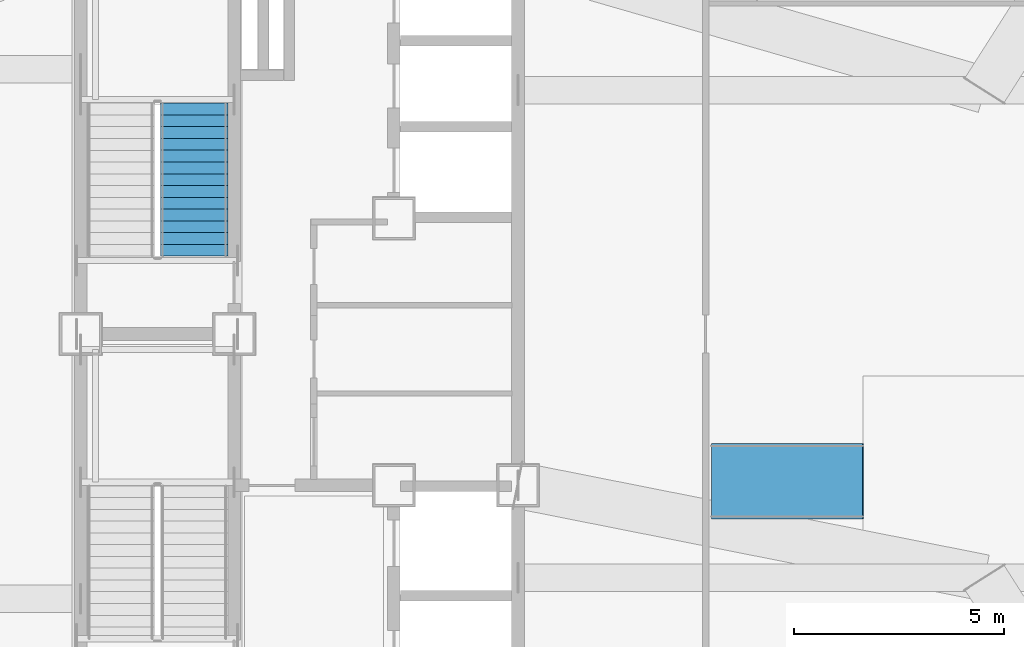
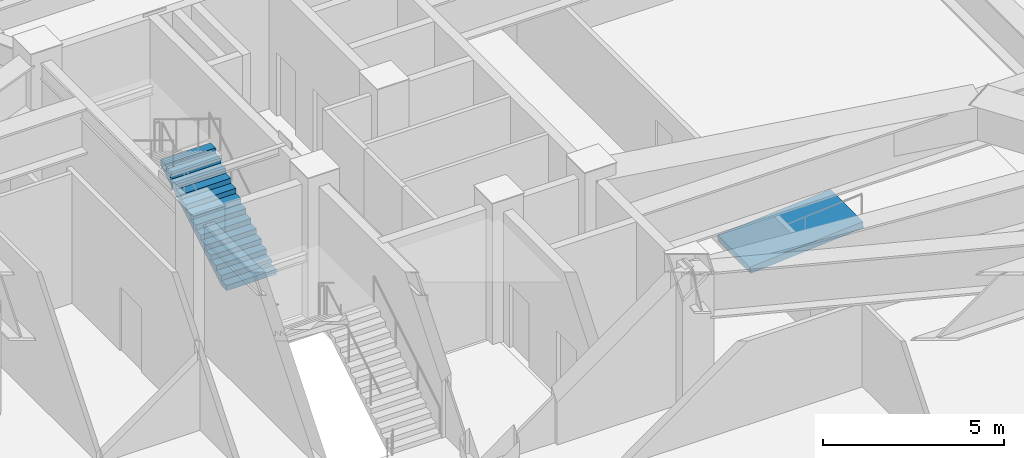
# One storey, part 9 of 11: 1 ramp flight, 1 stair flight, 2 elements without a shape of their own.
"""IFC4 building model written with IfcOpenShell, lengths in metres."""

from ifc_helpers import new_model, si_unit, direction, frame, origin, place, context, subcontext, project, spatial, polyline, outline, extrude, material, layer, layer_set, type_object, element, aggregate, save


model = new_model("IFC4")

# Units and contexts
model_context = context("Model", 3, precision=1e-05, world=origin(), true_north=direction((0.0, 1.0)))
body_context = subcontext(model_context, "Body", "Model", "MODEL_VIEW")
ifc_project = project(units=[si_unit("LENGTHUNIT", "METRE"), si_unit("AREAUNIT", "SQUARE_METRE"), si_unit("VOLUMEUNIT", "CUBIC_METRE"), si_unit("PLANEANGLEUNIT", "RADIAN"), si_unit("MASSUNIT", "GRAM", prefix="KILO")], contexts=[model_context])

# Site, building, storey
site_placement = place(None, origin())
site = spatial("IfcSite", under=ifc_project, at=site_placement, CompositionType="ELEMENT")
building_placement = place(site_placement, origin())
building = spatial("IfcBuilding", under=site, at=building_placement, Name="Khamvora Tower", CompositionType="ELEMENT")
storey_placement = place(building_placement, frame((0.0, 0.0, 264.64990234375)))
storey = spatial("IfcBuildingStorey", under=building, at=storey_placement, Name="L68", CompositionType="ELEMENT", Elevation=264.64990234375)

# Stair, stair flight
ifc_material = material(Name="Concrete C40/50", Category="concrete")
stair_type = type_object("IfcStairType", Name="STR-ST-02", PredefinedType="HALF_TURN_STAIR", material=ifc_material)
stair_placement = place(storey_placement, origin())
stair = element("IfcStair", 1, at=stair_placement, inside=storey, type_object=stair_type, Name="L68 North Tower Exit Stair ST-02", PredefinedType="HALF_TURN_STAIR")
stair_flight_type = type_object("IfcStairFlightType", Name="STF-ST-02", PredefinedType="STRAIGHT", material=ifc_material)
stair_flight_placement = place(storey_placement, frame((31.699951171875, 29.85009765625, 0.0), z_axis=(0.0, 0.0, 1.0), x_axis=(0.0, 1.0, 0.0)))
stair_flight = element("IfcStairFlight", 2, at=stair_flight_placement, type_object=stair_flight_type, Name="ST-02 flight 1", NumberOfRisers=14, NumberOfTreads=13, PredefinedType="STRAIGHT", RiserHeight=0.171428571, TreadLength=0.28, context=body_context, shape_type="SweptSolid", body=[
    extrude(outline(polyline([(0.0, 0.0), (0.0, 0.17138671875), (0.280029296875, 0.17138671875), (0.280029296875, 0.3427734375), (0.56005859375, 0.3427734375), (0.56005859375, 0.514404296875), (0.840087890625, 0.514404296875), (0.840087890625, 0.685791015625), (1.1201171875, 0.685791015625), (1.1201171875, 0.857177734375), (1.39990234375, 0.857177734375), (1.39990234375, 1.028564453125), (1.679931640625, 1.028564453125), (1.679931640625, 1.199951171875), (1.9599609375, 1.199951171875), (1.9599609375, 1.371337890625), (2.239990234375, 1.371337890625), (2.239990234375, 1.54296875), (2.52001953125, 1.54296875), (2.52001953125, 1.71435546875), (2.800048828125, 1.71435546875), (2.800048828125, 1.8857421875), (3.080078125, 1.8857421875), (3.080078125, 2.05712890625), (3.360107421875, 2.05712890625), (3.360107421875, 2.228515625), (3.639892578125, 2.228515625), (3.639892578125, 2.39990234375), (3.639892578125, 2.052734375), (0.287109375, 0.0), (0.0, 0.0)])), frame((0.0, 0.800048828125, 0.0), z_axis=(0.0, -1.0, 0.0), x_axis=(1.0, 0.0, 0.0)), (0.0, 0.0, 1.0), 1.60009765625),
])
aggregate(stair, [stair_flight])

# Ramp, ramp flight
ramp_type = type_object("IfcRampType", Name="RMP-ACC-1800", PredefinedType="STRAIGHT_RUN_RAMP", material=ifc_material)
ramp_placement = place(storey_placement, origin())
ramp = element("IfcRamp", 3, at=ramp_placement, inside=storey, type_object=ramp_type, Name="L68 Sky-Pool Accessible Deck Ramp RMP-05", PredefinedType="STRAIGHT_RUN_RAMP")
ifc_layer = layer(ifc_material, 0.219970703125)
ifc_layer_set = layer_set([ifc_layer], Name="Concrete C40/50")
ramp_flight_type = type_object("IfcRampFlightType", Name="RMF-ACC-1800", PredefinedType="STRAIGHT", material=ifc_layer_set)
ramp_flight_placement = place(storey_placement, frame((44.0, 23.60009765625, 0.0), z_axis=(-0.077549559716, 0.0, 0.996988498323), x_axis=(0.996988498323, 0.0, 0.077549559716)))
ramp_flight = element("IfcRampFlight", 4, at=ramp_flight_placement, type_object=ramp_flight_type, Name="L68 Sky-Pool Accessible Deck Ramp RMP-05 flight", PredefinedType="STRAIGHT", context=body_context, shape_type="SweptSolid", body=[
    extrude(outline(polyline([(0.0, 0.0), (3.6109721048001813, 0.0), (3.6109721048001813, 1.7998046874999998), (0.0, 1.7998046874999998), (0.0, 0.0)])), origin(), (0.0, 0.0, -1.0), 0.219970703125),
])
aggregate(ramp, [ramp_flight])

save(model, "model.ifc")
